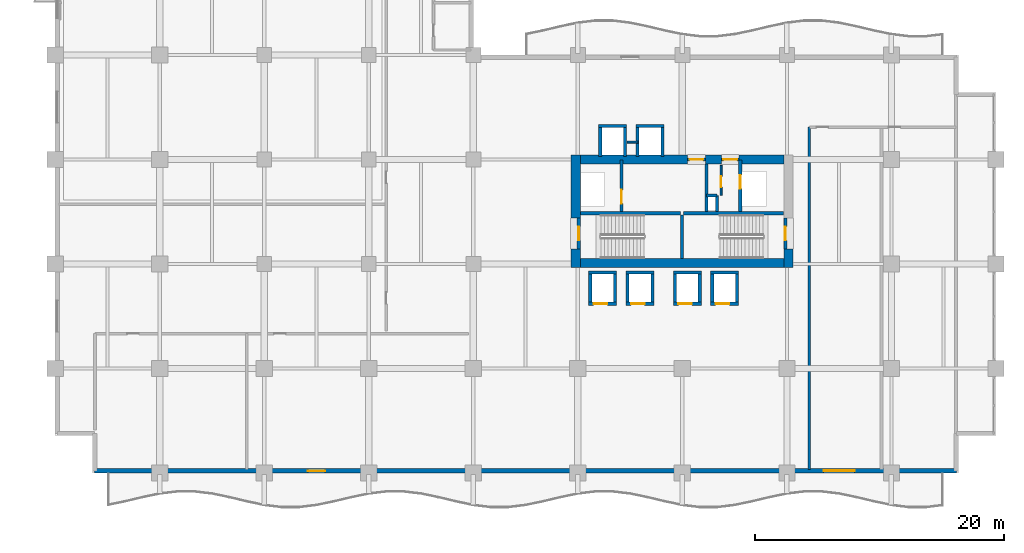
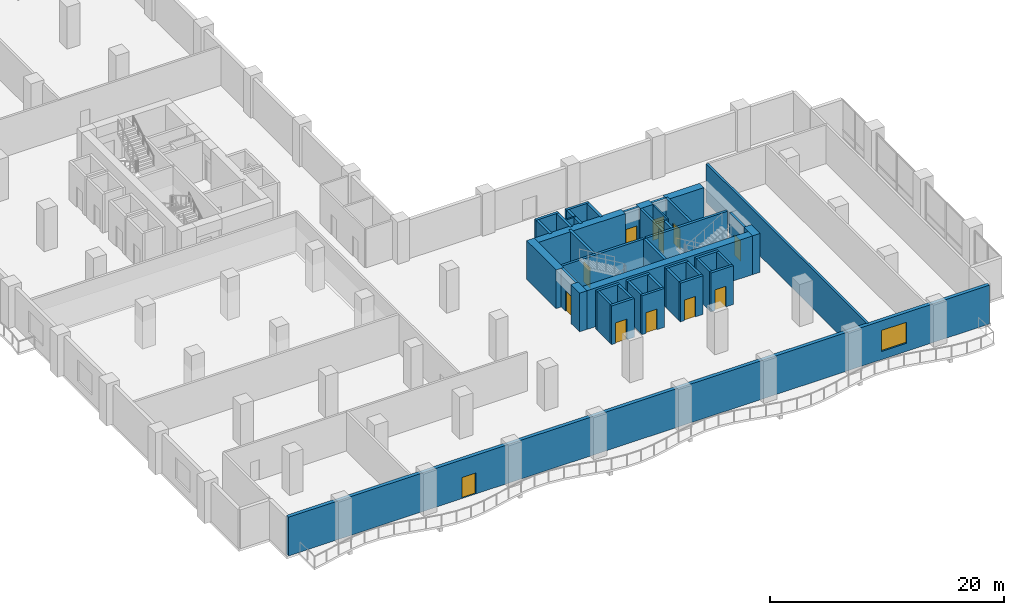
# One storey, part 13 of 24: 45 walls, 12 doors, 1 window, 13 openings.
"""IFC4 building model written with IfcOpenShell, lengths in metres."""

from ifc_helpers import new_model, si_unit, direction, frame, frame_2d, origin, place, context, subcontext, project, spatial, rectangle, extrude, material, layer, layer_set, type_object, element, fill, save


model = new_model("IFC4")

# Units and contexts
model_context = context("Model", 3, precision=1e-05, world=origin(), true_north=direction((0.0, 1.0)))
body_context = subcontext(model_context, "Body", "Model", "MODEL_VIEW")
ifc_project = project(units=[si_unit("LENGTHUNIT", "METRE"), si_unit("AREAUNIT", "SQUARE_METRE"), si_unit("VOLUMEUNIT", "CUBIC_METRE"), si_unit("PLANEANGLEUNIT", "RADIAN"), si_unit("MASSUNIT", "GRAM", prefix="KILO")], contexts=[model_context])

# Site, building, storey
site_placement = place(None, origin())
site = spatial("IfcSite", under=ifc_project, at=site_placement, CompositionType="ELEMENT")
building_placement = place(site_placement, origin())
building = spatial("IfcBuilding", under=site, at=building_placement, Name="Koriwani Terraces Tower", CompositionType="ELEMENT")
storey_placement = place(building_placement, frame((0.0, 0.0, 89.60009765625)))
storey = spatial("IfcBuildingStorey", under=building, at=storey_placement, Name="L21", CompositionType="ELEMENT", Elevation=89.60009765625)

# Walls
ifc_material_1 = material(Name="Concrete C60/75", Category="concrete")
ifc_layer_1 = layer(ifc_material_1, 0.75, Name="Concrete C60/75")
ifc_layer_set_1 = layer_set([ifc_layer_1], Name="Concrete C60/75")
wall_type_1 = type_object("IfcWallType", Name="WALL_CORE_RC_750", PredefinedType="SHEAR", material=ifc_layer_set_1)
wall_1_placement = place(storey_placement, frame((41.824951171875, 16.5, 0.0), z_axis=(0.0, 0.0, 1.0), x_axis=(0.0, 1.0, 0.0)))
element("IfcWall", 1, at=wall_1_placement, inside=storey, type_object=wall_type_1, Name="L21 East Split Core Shear Wall W1", PredefinedType="SHEAR", context=body_context, shape_type="SweptSolid", body=[
    extrude(rectangle(XDim=1.5, YDim=0.75, at=frame_2d((0.75, 0.0))), origin(), (0.0, 0.0, 1.0), 4.0498046875),
])
wall_2_placement = place(storey_placement, frame((41.824951171875, 20.5, 0.0), z_axis=(0.0, 0.0, 1.0), x_axis=(0.0, 1.0, 0.0)))
element("IfcWall", 2, at=wall_2_placement, inside=storey, type_object=wall_type_1, Name="L21 East Split Core Shear Wall W2", PredefinedType="SHEAR", context=body_context, shape_type="SweptSolid", body=[
    extrude(rectangle(XDim=5.074951171875, YDim=0.75, at=frame_2d((2.53759765625, 0.0))), origin(), (0.0, 0.0, 1.0), 4.0498046875),
])
wall_3_placement = place(storey_placement, frame((58.925048828125, 16.5, 0.0), z_axis=(0.0, 0.0, 1.0), x_axis=(0.0, 1.0, 0.0)))
element("IfcWall", 3, at=wall_3_placement, inside=storey, type_object=wall_type_1, Name="L21 East Split Core Shear Wall E1", PredefinedType="SHEAR", context=body_context, shape_type="SweptSolid", body=[
    extrude(rectangle(XDim=1.5, YDim=0.75, at=frame_2d((0.75, 0.0))), origin(), (0.0, 0.0, 1.0), 4.0498046875),
])
wall_4_placement = place(storey_placement, frame((42.199951171875, 16.875, 0.0), z_axis=(0.0, 0.0, 1.0), x_axis=(1.0, 0.0, 0.0)))
element("IfcWall", 4, at=wall_4_placement, inside=storey, type_object=wall_type_1, Name="L21 East Split Core Shear Wall S1", PredefinedType="SHEAR", context=body_context, shape_type="SweptSolid", body=[
    extrude(rectangle(XDim=16.35009765625, YDim=0.75, at=frame_2d((8.175048828125, 0.0))), origin(), (0.0, 0.0, 1.0), 4.0498046875),
])
wall_5_placement = place(storey_placement, frame((42.199951171875, 25.199951171875, 0.0), z_axis=(0.0, 0.0, 1.0), x_axis=(1.0, 0.0, 0.0)))
element("IfcWall", 5, at=wall_5_placement, inside=storey, type_object=wall_type_1, Name="L21 East Split Core Shear Wall N1", PredefinedType="SHEAR", context=body_context, shape_type="SweptSolid", body=[
    extrude(rectangle(XDim=8.60009765625, YDim=0.75, at=frame_2d((4.300048828125, 0.0))), origin(), (0.0, 0.0, 1.0), 4.0498046875),
])
wall_6_placement = place(storey_placement, frame((52.280029296875, 25.199951171875, 0.0), z_axis=(0.0, 0.0, 1.0), x_axis=(1.0, 0.0, 0.0)))
element("IfcWall", 6, at=wall_6_placement, inside=storey, type_object=wall_type_1, Name="L21 East Split Core Shear Wall N2", PredefinedType="SHEAR", context=body_context, shape_type="SweptSolid", body=[
    extrude(rectangle(XDim=1.27001953125, YDim=0.75, at=frame_2d((0.635009765625, 0.0))), origin(), (0.0, 0.0, 1.0), 4.0498046875),
])
wall_7_placement = place(storey_placement, frame((54.949951171875, 25.199951171875, 0.0), z_axis=(0.0, 0.0, 1.0), x_axis=(1.0, 0.0, 0.0)))
element("IfcWall", 7, at=wall_7_placement, inside=storey, type_object=wall_type_1, Name="L21 East Split Core Shear Wall N3", PredefinedType="SHEAR", context=body_context, shape_type="SweptSolid", body=[
    extrude(rectangle(XDim=3.60009765625, YDim=0.75, at=frame_2d((1.800048828125, 0.0))), origin(), (0.0, 0.0, 1.0), 4.0498046875),
])
ifc_material_2 = material(Name="Autoclaved Cellular Concrete Blockwork", Category="masonry")
ifc_layer_2 = layer(ifc_material_2, 0.219970703125, Name="Autoclaved Cellular Concrete Blockwork")
ifc_layer_set_2 = layer_set([ifc_layer_2], Name="Autoclaved Cellular Concrete Blockwork")
wall_type_2 = type_object("IfcWallType", Name="WALL_DEMISING_220", PredefinedType="PARTITIONING", material=ifc_layer_set_2)
wall_8_placement = place(storey_placement, frame((60.60009765625, 0.300048828125, 0.0), z_axis=(0.0, 0.0, 1.0), x_axis=(0.0, 1.0, 0.0)))
element("IfcWall", 8, at=wall_8_placement, inside=storey, type_object=wall_type_2, Name="L21 Interior Wall WSKY-EW-L21", PredefinedType="PARTITIONING", context=body_context, shape_type="SweptSolid", body=[
    extrude(rectangle(XDim=27.5, YDim=0.219970703125, at=frame_2d((13.75, 0.0))), origin(), (0.0, 0.0, 1.0), 4.0498046875),
])

# Wall, openings, door, window
ifc_material_3 = material(Name="Concrete C50/60", Category="concrete")
ifc_layer_3 = layer(ifc_material_3, 0.35009765625, Name="Concrete C50/60")
ifc_layer_set_3 = layer_set([ifc_layer_3], Name="Concrete C50/60")
wall_type_3 = type_object("IfcWallType", Name="WALL_EXT_BRUTALIST_350", PredefinedType="STANDARD", material=ifc_layer_set_3)
wall_9_placement = place(storey_placement, frame((72.425048828125, 0.175048828125, 0.0), z_axis=(0.0, 0.0, 1.0), x_axis=(-1.0, 0.0, 0.0)))
wall_9 = element("IfcWall", 9, at=wall_9_placement, inside=storey, type_object=wall_type_3, Name="L21 Fair-Faced Brutalist Exterior Wall (S)", PredefinedType="STANDARD", context=body_context, shape_type="SweptSolid", body=[
    extrude(rectangle(XDim=69.25, YDim=0.35009765625, at=frame_2d((34.625, 0.0))), origin(), (0.0, 0.0, 1.0), 4.0498046875),
])
opening_1_placement = place(wall_9_placement, frame((50.72509765625, 0.0, 0.0)))
opening_1 = element("IfcOpeningElement", 10, at=opening_1_placement, cuts=wall_9, Name="Opening D-09", PredefinedType="OPENING", context=body_context, shape_type="SweptSolid", body=[
    extrude(rectangle(XDim=1.39990234375, YDim=2.199951171875, at=frame_2d((0.699951171875, 1.10009765625))), frame((0.0, 0.18505859375, 0.0), z_axis=(0.0, -1.0, 0.0), x_axis=(1.0, 0.0, 0.0)), (0.0, 0.0, 1.0), 0.3701171875),
])
opening_2_placement = place(wall_9_placement, frame((8.175048828125, 0.0, 0.85009765625)))
opening_2 = element("IfcOpeningElement", 11, at=opening_2_placement, cuts=wall_9, Name="Opening W-07", PredefinedType="OPENING", context=body_context, shape_type="SweptSolid", body=[
    extrude(rectangle(XDim=2.5, YDim=2.199951171875, at=frame_2d((1.25, 1.10009765625))), frame((0.0, 0.18505859375, 0.0), z_axis=(0.0, -1.0, 0.0), x_axis=(1.0, 0.0, 0.0)), (0.0, 0.0, 1.0), 0.3701171875),
])
ifc_material_4 = material(Name="Anodised Bronze Aluminium", Category="aluminium")
door_type_1 = type_object("IfcDoorType", Name="DOOR_BALCONY_GLAZED_1400X2200", OperationType="NOTDEFINED", PredefinedType="DOOR", material=ifc_material_4)
door_1_placement = place(opening_1_placement, origin())
door_1 = element("IfcDoor", 12, at=door_1_placement, inside=storey, type_object=door_type_1, Name="L21 South Balcony Glazed Door", OperationType="SINGLE_SWING_LEFT", OverallHeight=2.199951171875, OverallWidth=1.39990234375, PredefinedType="DOOR", context=body_context, shape_type="SweptSolid", body=[
    extrude(rectangle(XDim=1.39990234375, YDim=2.199951171875, at=frame_2d((0.699951171875, 1.10009765625))), frame((0.0, 0.02490234375, 0.0), z_axis=(0.0, -1.0, 0.0), x_axis=(1.0, 0.0, 0.0)), (0.0, 0.0, 1.0), 0.050048828125),
])
fill(opening_1, door_1)
ifc_material_5 = material(Name="Tempered Laminated Low-E Glass", Category="glass")
window_type = type_object("IfcWindowType", Name="WIN_SKY_LOUNGE_2500X2200", PartitioningType="SINGLE_PANEL", PredefinedType="WINDOW", material=ifc_material_5)
window_placement = place(opening_2_placement, origin())
window = element("IfcWindow", 13, at=window_placement, inside=storey, type_object=window_type, Name="L21 Exterior Window (S-21)", OverallHeight=2.199951171875, OverallWidth=2.5, PartitioningType="SINGLE_PANEL", PredefinedType="WINDOW", context=body_context, shape_type="SweptSolid", body=[
    extrude(rectangle(XDim=2.5, YDim=2.199951171875, at=frame_2d((1.25, 1.10009765625))), frame((0.0, 0.030029296875, 0.0), z_axis=(0.0, -1.0, 0.0), x_axis=(1.0, 0.0, 0.0)), (0.0, 0.0, 1.0), 0.06005859375),
])
fill(opening_2, window)

# Walls
ifc_material_6 = material(Name="Concrete C40/50", Category="concrete")
ifc_layer_4 = layer(ifc_material_6, 0.25, Name="Concrete C40/50")
ifc_layer_set_4 = layer_set([ifc_layer_4], Name="Concrete C40/50")
wall_type_4 = type_object("IfcWallType", Name="WALL_SHAFT_RATED_250", PredefinedType="SOLIDWALL", material=ifc_layer_set_4)
for number, where, z_axis, x_axis, name in (
    (14, (42.199951171875, 20.875, 0.0), (0.0, 0.0, 1.0), (1.0, 0.0, 0.0), "L21 East Split Core Web Wall MID1"),
    (15, (50.5, 20.875, 0.0), (0.0, 0.0, 1.0), (1.0, 0.0, 0.0), "L21 East Split Core Web Wall MID2"),
):
    element("IfcWall", number, at=place(storey_placement, frame(where, z_axis=z_axis, x_axis=x_axis)), inside=storey, type_object=wall_type_4, Name=name, PredefinedType="SOLIDWALL", context=body_context, shape_type="SweptSolid", body=[
        extrude(rectangle(XDim=8.050048828125, YDim=0.25, at=frame_2d((4.02490234375, 0.0))), origin(), (0.0, 0.0, 1.0), 4.0498046875),
    ])
wall_10_placement = place(storey_placement, frame((50.375, 17.25, 0.0), z_axis=(0.0, 0.0, 1.0), x_axis=(0.0, 1.0, 0.0)))
element("IfcWall", 16, at=wall_10_placement, inside=storey, type_object=wall_type_4, Name="L21 East Split Core Stair Dividing Wall", PredefinedType="SOLIDWALL", context=body_context, shape_type="SweptSolid", body=[
    extrude(rectangle(XDim=3.5, YDim=0.25, at=frame_2d((1.75, 0.0))), origin(), (0.0, 0.0, 1.0), 4.0498046875),
])

# Wall, opening, door
wall_11_placement = place(storey_placement, frame((42.074951171875, 18.0, 0.0), z_axis=(0.0, 0.0, 1.0), x_axis=(0.0, 1.0, 0.0)))
wall_11 = element("IfcWall", 17, at=wall_11_placement, inside=storey, type_object=wall_type_4, Name="L21 Interior Wall WIN-CE-L21-STW", PredefinedType="SOLIDWALL", context=body_context, shape_type="SweptSolid", body=[
    extrude(rectangle(XDim=2.5, YDim=0.25, at=frame_2d((1.25, 0.0))), origin(), (0.0, 0.0, 1.0), 4.0498046875),
])
opening_3_placement = place(wall_11_placement, frame((0.699951171875, 0.0, 0.0)))
opening_3 = element("IfcOpeningElement", 18, at=opening_3_placement, cuts=wall_11, Name="Opening D-03", PredefinedType="OPENING", context=body_context, shape_type="SweptSolid", body=[
    extrude(rectangle(XDim=1.10009765625, YDim=2.14990234375, at=frame_2d((0.550048828125, 1.074951171875))), frame((0.0, 0.135009765625, 0.0), z_axis=(0.0, -1.0, 0.0), x_axis=(1.0, 0.0, 0.0)), (0.0, 0.0, 1.0), 0.27001953125),
])
ifc_material_7 = material(Name="Steel ASTM A572 Grade 50", Category="steel")
door_type_2 = type_object("IfcDoorType", Name="DOOR_STAIR_FIRE_1100X2150", OperationType="NOTDEFINED", PredefinedType="DOOR", material=ifc_material_7)
door_2_placement = place(opening_3_placement, origin())
door_2 = element("IfcDoor", 19, at=door_2_placement, inside=storey, type_object=door_type_2, Name="L21 Exit Stair ST-E1 Door", OperationType="SINGLE_SWING_RIGHT", OverallHeight=2.14990234375, OverallWidth=1.10009765625, PredefinedType="DOOR", context=body_context, shape_type="SweptSolid", body=[
    extrude(rectangle(XDim=1.10009765625, YDim=2.14990234375, at=frame_2d((0.550048828125, 1.074951171875))), frame((0.0, 0.02490234375, 0.0), z_axis=(0.0, -1.0, 0.0), x_axis=(1.0, 0.0, 0.0)), (0.0, 0.0, 1.0), 0.050048828125),
])
fill(opening_3, door_2)

wall_12_placement = place(storey_placement, frame((58.675048828125, 18.0, 0.0), z_axis=(0.0, 0.0, 1.0), x_axis=(0.0, 1.0, 0.0)))
wall_12 = element("IfcWall", 20, at=wall_12_placement, inside=storey, type_object=wall_type_4, Name="L21 Interior Wall WIN-CE-L21-STE", PredefinedType="SOLIDWALL", context=body_context, shape_type="SweptSolid", body=[
    extrude(rectangle(XDim=2.5, YDim=0.25, at=frame_2d((1.25, 0.0))), origin(), (0.0, 0.0, 1.0), 4.0498046875),
])
opening_4_placement = place(wall_12_placement, frame((0.699951171875, 0.0, 0.0)))
opening_4 = element("IfcOpeningElement", 21, at=opening_4_placement, cuts=wall_12, Name="Opening D-03", PredefinedType="OPENING", context=body_context, shape_type="SweptSolid", body=[
    extrude(rectangle(XDim=1.10009765625, YDim=2.14990234375, at=frame_2d((0.550048828125, 1.074951171875))), frame((0.0, 0.135009765625, 0.0), z_axis=(0.0, -1.0, 0.0), x_axis=(1.0, 0.0, 0.0)), (0.0, 0.0, 1.0), 0.27001953125),
])
door_3_placement = place(opening_4_placement, origin())
door_3 = element("IfcDoor", 22, at=door_3_placement, inside=storey, type_object=door_type_2, Name="L21 Exit Stair ST-E2 Door", OperationType="SINGLE_SWING_LEFT", OverallHeight=2.14990234375, OverallWidth=1.10009765625, PredefinedType="DOOR", context=body_context, shape_type="SweptSolid", body=[
    extrude(rectangle(XDim=1.10009765625, YDim=2.14990234375, at=frame_2d((0.550048828125, 1.074951171875))), frame((0.0, 0.02490234375, 0.0), z_axis=(0.0, -1.0, 0.0), x_axis=(1.0, 0.0, 0.0)), (0.0, 0.0, 1.0), 0.050048828125),
])
fill(opening_4, door_3)

wall_13_placement = place(storey_placement, frame((45.5, 21.0, 0.0), z_axis=(0.0, 0.0, 1.0), x_axis=(0.0, 1.0, 0.0)))
wall_13 = element("IfcWall", 23, at=wall_13_placement, inside=storey, type_object=wall_type_4, Name="L21 Interior Wall WIN-CE-L21-FE", PredefinedType="SOLIDWALL", context=body_context, shape_type="SweptSolid", body=[
    extrude(rectangle(XDim=4.14990234375, YDim=0.25, at=frame_2d((2.074951171875, 0.0))), origin(), (0.0, 0.0, 1.0), 4.0498046875),
])
opening_5_placement = place(wall_13_placement, frame((0.64990234375, 0.0, 0.0)))
opening_5 = element("IfcOpeningElement", 24, at=opening_5_placement, cuts=wall_13, Name="Opening LD-01", PredefinedType="OPENING", context=body_context, shape_type="SweptSolid", body=[
    extrude(rectangle(XDim=1.10009765625, YDim=2.14990234375, at=frame_2d((0.550048828125, 1.074951171875))), frame((0.0, 0.135009765625, 0.0), z_axis=(0.0, -1.0, 0.0), x_axis=(1.0, 0.0, 0.0)), (0.0, 0.0, 1.0), 0.27001953125),
])
door_type_3 = type_object("IfcDoorType", Name="DOOR_LIFT_LANDING_1100X2200", OperationType="NOTDEFINED", PredefinedType="DOOR", material=ifc_material_7)
door_4_placement = place(opening_5_placement, origin())
door_4 = element("IfcDoor", 25, at=door_4_placement, inside=storey, type_object=door_type_3, Name="L21 Firefighting Lift FE-02 Landing Door", OperationType="SLIDING_TO_LEFT", OverallHeight=2.14990234375, OverallWidth=1.10009765625, PredefinedType="DOOR", context=body_context, shape_type="SweptSolid", body=[
    extrude(rectangle(XDim=1.10009765625, YDim=2.14990234375, at=frame_2d((0.550048828125, 1.074951171875))), frame((0.0, 0.02490234375, 0.0), z_axis=(0.0, -1.0, 0.0), x_axis=(1.0, 0.0, 0.0)), (0.0, 0.0, 1.0), 0.050048828125),
])
fill(opening_5, door_4)

wall_14_placement = place(storey_placement, frame((50.800048828125, 25.199951171875, 0.0), z_axis=(0.0, 0.0, 1.0), x_axis=(1.0, 0.0, 0.0)))
wall_14 = element("IfcWall", 26, at=wall_14_placement, inside=storey, type_object=wall_type_4, Name="L21 Interior Wall WIN-CE-L21-NP", PredefinedType="SOLIDWALL", context=body_context, shape_type="SweptSolid", body=[
    extrude(rectangle(XDim=1.47998046875, YDim=0.25, at=frame_2d((0.739990234375, 0.0))), origin(), (0.0, 0.0, 1.0), 4.0498046875),
])
opening_6_placement = place(wall_14_placement, frame((0.179931640625, 0.0, 0.0)))
opening_6 = element("IfcOpeningElement", 27, at=opening_6_placement, cuts=wall_14, Name="Opening D-03", PredefinedType="OPENING", context=body_context, shape_type="SweptSolid", body=[
    extrude(rectangle(XDim=1.10009765625, YDim=2.14990234375, at=frame_2d((0.550048828125, 1.074951171875))), frame((0.0, 0.135009765625, 0.0), z_axis=(0.0, -1.0, 0.0), x_axis=(1.0, 0.0, 0.0)), (0.0, 0.0, 1.0), 0.27001953125),
])
door_5_placement = place(opening_6_placement, origin())
door_5 = element("IfcDoor", 28, at=door_5_placement, inside=storey, type_object=door_type_2, Name="L21 East Firefighting Lobby Door", OperationType="SINGLE_SWING_RIGHT", OverallHeight=2.14990234375, OverallWidth=1.10009765625, PredefinedType="DOOR", context=body_context, shape_type="SweptSolid", body=[
    extrude(rectangle(XDim=1.10009765625, YDim=2.14990234375, at=frame_2d((0.550048828125, 1.074951171875))), frame((0.0, 0.02490234375, 0.0), z_axis=(0.0, -1.0, 0.0), x_axis=(1.0, 0.0, 0.0)), (0.0, 0.0, 1.0), 0.050048828125),
])
fill(opening_6, door_5)

# Wall
wall_15_placement = place(storey_placement, frame((52.340087890625, 21.0, 0.0), z_axis=(0.0, 0.0, 1.0), x_axis=(0.0, 1.0, 0.0)))
element("IfcWall", 29, at=wall_15_placement, inside=storey, type_object=wall_type_4, Name="L21 Interior Wall WIN-CE-L21-FFE", PredefinedType="SOLIDWALL", context=body_context, shape_type="SweptSolid", body=[
    extrude(rectangle(XDim=3.824951171875, YDim=0.25, at=frame_2d((1.91259765625, 0.0))), origin(), (0.0, 0.0, 1.0), 4.0498046875),
])

# Wall, opening, door
wall_16_placement = place(storey_placement, frame((55.050048828125, 21.0, 0.0), z_axis=(0.0, 0.0, 1.0), x_axis=(0.0, 1.0, 0.0)))
wall_16 = element("IfcWall", 30, at=wall_16_placement, inside=storey, type_object=wall_type_4, Name="L21 Interior Wall WIN-CE-L21-SE", PredefinedType="SOLIDWALL", context=body_context, shape_type="SweptSolid", body=[
    extrude(rectangle(XDim=4.14990234375, YDim=0.25, at=frame_2d((2.074951171875, 0.0))), origin(), (0.0, 0.0, 1.0), 4.0498046875),
])
opening_7_placement = place(wall_16_placement, frame((1.85009765625, 0.0, 0.0)))
opening_7 = element("IfcOpeningElement", 31, at=opening_7_placement, cuts=wall_16, Name="Opening LD-01", PredefinedType="OPENING", context=body_context, shape_type="SweptSolid", body=[
    extrude(rectangle(XDim=1.10009765625, YDim=2.14990234375, at=frame_2d((0.550048828125, 1.074951171875))), frame((0.0, 0.135009765625, 0.0), z_axis=(0.0, -1.0, 0.0), x_axis=(1.0, 0.0, 0.0)), (0.0, 0.0, 1.0), 0.27001953125),
])
door_6_placement = place(opening_7_placement, origin())
door_6 = element("IfcDoor", 32, at=door_6_placement, inside=storey, type_object=door_type_3, Name="L21 Goods Lift SE-02 Landing Door", OperationType="SLIDING_TO_LEFT", OverallHeight=2.14990234375, OverallWidth=1.10009765625, PredefinedType="DOOR", context=body_context, shape_type="SweptSolid", body=[
    extrude(rectangle(XDim=1.10009765625, YDim=2.14990234375, at=frame_2d((0.550048828125, 1.074951171875))), frame((0.0, 0.02490234375, 0.0), z_axis=(0.0, -1.0, 0.0), x_axis=(1.0, 0.0, 0.0)), (0.0, 0.0, 1.0), 0.050048828125),
])
fill(opening_7, door_6)

wall_17_placement = place(storey_placement, frame((53.550048828125, 25.199951171875, 0.0), z_axis=(0.0, 0.0, 1.0), x_axis=(1.0, 0.0, 0.0)))
wall_17 = element("IfcWall", 33, at=wall_17_placement, inside=storey, type_object=wall_type_4, Name="L21 Interior Wall WIN-CE-L21-NP2", PredefinedType="SOLIDWALL", context=body_context, shape_type="SweptSolid", body=[
    extrude(rectangle(XDim=1.39990234375, YDim=0.25, at=frame_2d((0.699951171875, 0.0))), origin(), (0.0, 0.0, 1.0), 4.0498046875),
])
opening_8_placement = place(wall_17_placement, frame((0.14990234375, 0.0, 0.0)))
opening_8 = element("IfcOpeningElement", 34, at=opening_8_placement, cuts=wall_17, Name="Opening D-03", PredefinedType="OPENING", context=body_context, shape_type="SweptSolid", body=[
    extrude(rectangle(XDim=1.10009765625, YDim=2.14990234375, at=frame_2d((0.550048828125, 1.074951171875))), frame((0.0, 0.135009765625, 0.0), z_axis=(0.0, -1.0, 0.0), x_axis=(1.0, 0.0, 0.0)), (0.0, 0.0, 1.0), 0.27001953125),
])
door_7_placement = place(opening_8_placement, origin())
door_7 = element("IfcDoor", 35, at=door_7_placement, inside=storey, type_object=door_type_2, Name="L21 East Goods Lift Lobby Door", OperationType="SINGLE_SWING_LEFT", OverallHeight=2.14990234375, OverallWidth=1.10009765625, PredefinedType="DOOR", context=body_context, shape_type="SweptSolid", body=[
    extrude(rectangle(XDim=1.10009765625, YDim=2.14990234375, at=frame_2d((0.550048828125, 1.074951171875))), frame((0.0, 0.02490234375, 0.0), z_axis=(0.0, -1.0, 0.0), x_axis=(1.0, 0.0, 0.0)), (0.0, 0.0, 1.0), 0.050048828125),
])
fill(opening_8, door_7)

# Walls
wall_18_placement = place(storey_placement, frame((53.199951171875, 21.0, 0.0), z_axis=(0.0, 0.0, 1.0), x_axis=(0.0, 1.0, 0.0)))
element("IfcWall", 36, at=wall_18_placement, inside=storey, type_object=wall_type_4, Name="L21 Interior Wall WIN-CE-L21-RS1", PredefinedType="SOLIDWALL", context=body_context, shape_type="SweptSolid", body=[
    extrude(rectangle(XDim=1.300048828125, YDim=0.25, at=frame_2d((0.64990234375, 0.0))), origin(), (0.0, 0.0, 1.0), 4.0498046875),
])
wall_19_placement = place(storey_placement, frame((52.360107421875, 22.300048828125, 0.0), z_axis=(0.0, 0.0, 1.0), x_axis=(1.0, 0.0, 0.0)))
element("IfcWall", 37, at=wall_19_placement, inside=storey, type_object=wall_type_4, Name="L21 Interior Wall WIN-CE-L21-RS2", PredefinedType="SOLIDWALL", context=body_context, shape_type="SweptSolid", body=[
    extrude(rectangle(XDim=0.83984375, YDim=0.25, at=frame_2d((0.419921875, 0.0))), origin(), (0.0, 0.0, 1.0), 4.0498046875),
])

# Wall, opening, door
wall_20_placement = place(storey_placement, frame((42.875, 13.60009765625, 0.0), z_axis=(0.0, 0.0, 1.0), x_axis=(1.0, 0.0, 0.0)))
wall_20 = element("IfcWall", 38, at=wall_20_placement, inside=storey, type_object=wall_type_4, Name="L21 Interior Wall WIN-LF-PE-L3-L21-F", PredefinedType="SOLIDWALL", context=body_context, shape_type="SweptSolid", body=[
    extrude(rectangle(XDim=2.25, YDim=0.25, at=frame_2d((1.125, 0.0))), origin(), (0.0, 0.0, 1.0), 4.0498046875),
])
opening_9_placement = place(wall_20_placement, frame((0.39990234375, 0.0, 0.0)))
opening_9 = element("IfcOpeningElement", 39, at=opening_9_placement, cuts=wall_20, Name="Opening LD-01", PredefinedType="OPENING", context=body_context, shape_type="SweptSolid", body=[
    extrude(rectangle(XDim=1.10009765625, YDim=2.14990234375, at=frame_2d((0.550048828125, 1.074951171875))), frame((0.0, 0.135009765625, 0.0), z_axis=(0.0, -1.0, 0.0), x_axis=(1.0, 0.0, 0.0)), (0.0, 0.0, 1.0), 0.27001953125),
])
door_8_placement = place(opening_9_placement, origin())
door_8 = element("IfcDoor", 40, at=door_8_placement, inside=storey, type_object=door_type_3, Name="L21 Passenger Lift PE-L3 Landing Door", OperationType="SLIDING_TO_LEFT", OverallHeight=2.14990234375, OverallWidth=1.10009765625, PredefinedType="DOOR", context=body_context, shape_type="SweptSolid", body=[
    extrude(rectangle(XDim=1.10009765625, YDim=2.14990234375, at=frame_2d((0.550048828125, 1.074951171875))), frame((0.0, 0.02490234375, 0.0), z_axis=(0.0, -1.0, 0.0), x_axis=(1.0, 0.0, 0.0)), (0.0, 0.0, 1.0), 0.050048828125),
])
fill(opening_9, door_8)

# Walls
for number, where, z_axis, x_axis, name in (
    (41, (42.875, 16.10009765625, 0.0), (0.0, 0.0, 1.0), (1.0, 0.0, 0.0), "L21 Interior Wall WIN-LF-PE-L3-L21-B"),
    (42, (43.0, 13.72509765625, 0.0), (0.0, 0.0, 1.0), (0.0, 1.0, 0.0), "L21 Interior Wall WIN-LF-PE-L3-L21-W"),
    (43, (45.0, 13.72509765625, 0.0), (0.0, 0.0, 1.0), (0.0, 1.0, 0.0), "L21 Interior Wall WIN-LF-PE-L3-L21-E"),
):
    element("IfcWall", number, at=place(storey_placement, frame(where, z_axis=z_axis, x_axis=x_axis)), inside=storey, type_object=wall_type_4, Name=name, PredefinedType="SOLIDWALL", context=body_context, shape_type="SweptSolid", body=[
        extrude(rectangle(XDim=2.25, YDim=0.25, at=frame_2d((1.125, 0.0))), origin(), (0.0, 0.0, 1.0), 4.0498046875),
    ])

# Wall, opening, door
wall_21_placement = place(storey_placement, frame((45.875, 13.60009765625, 0.0), z_axis=(0.0, 0.0, 1.0), x_axis=(1.0, 0.0, 0.0)))
wall_21 = element("IfcWall", 44, at=wall_21_placement, inside=storey, type_object=wall_type_4, Name="L21 Interior Wall WIN-LF-PE-L4-L21-F", PredefinedType="SOLIDWALL", context=body_context, shape_type="SweptSolid", body=[
    extrude(rectangle(XDim=2.25, YDim=0.25, at=frame_2d((1.125, 0.0))), origin(), (0.0, 0.0, 1.0), 4.0498046875),
])
opening_10_placement = place(wall_21_placement, frame((0.39990234375, 0.0, 0.0)))
opening_10 = element("IfcOpeningElement", 45, at=opening_10_placement, cuts=wall_21, Name="Opening LD-01", PredefinedType="OPENING", context=body_context, shape_type="SweptSolid", body=[
    extrude(rectangle(XDim=1.10009765625, YDim=2.14990234375, at=frame_2d((0.550048828125, 1.074951171875))), frame((0.0, 0.135009765625, 0.0), z_axis=(0.0, -1.0, 0.0), x_axis=(1.0, 0.0, 0.0)), (0.0, 0.0, 1.0), 0.27001953125),
])
door_9_placement = place(opening_10_placement, origin())
door_9 = element("IfcDoor", 46, at=door_9_placement, inside=storey, type_object=door_type_3, Name="L21 Passenger Lift PE-L4 Landing Door", OperationType="SLIDING_TO_LEFT", OverallHeight=2.14990234375, OverallWidth=1.10009765625, PredefinedType="DOOR", context=body_context, shape_type="SweptSolid", body=[
    extrude(rectangle(XDim=1.10009765625, YDim=2.14990234375, at=frame_2d((0.550048828125, 1.074951171875))), frame((0.0, 0.02490234375, 0.0), z_axis=(0.0, -1.0, 0.0), x_axis=(1.0, 0.0, 0.0)), (0.0, 0.0, 1.0), 0.050048828125),
])
fill(opening_10, door_9)

# Walls
for number, where, z_axis, x_axis, name in (
    (47, (45.875, 16.10009765625, 0.0), (0.0, 0.0, 1.0), (1.0, 0.0, 0.0), "L21 Interior Wall WIN-LF-PE-L4-L21-B"),
    (48, (46.0, 13.72509765625, 0.0), (0.0, 0.0, 1.0), (0.0, 1.0, 0.0), "L21 Interior Wall WIN-LF-PE-L4-L21-W"),
    (49, (48.0, 13.72509765625, 0.0), (0.0, 0.0, 1.0), (0.0, 1.0, 0.0), "L21 Interior Wall WIN-LF-PE-L4-L21-E"),
):
    element("IfcWall", number, at=place(storey_placement, frame(where, z_axis=z_axis, x_axis=x_axis)), inside=storey, type_object=wall_type_4, Name=name, PredefinedType="SOLIDWALL", context=body_context, shape_type="SweptSolid", body=[
        extrude(rectangle(XDim=2.25, YDim=0.25, at=frame_2d((1.125, 0.0))), origin(), (0.0, 0.0, 1.0), 4.0498046875),
    ])

# Wall, opening, door
wall_22_placement = place(storey_placement, frame((49.675048828125, 13.60009765625, 0.0), z_axis=(0.0, 0.0, 1.0), x_axis=(1.0, 0.0, 0.0)))
wall_22 = element("IfcWall", 50, at=wall_22_placement, inside=storey, type_object=wall_type_4, Name="L21 Interior Wall WIN-LF-PE-M3-L21-F", PredefinedType="SOLIDWALL", context=body_context, shape_type="SweptSolid", body=[
    extrude(rectangle(XDim=2.25, YDim=0.25, at=frame_2d((1.125, 0.0))), origin(), (0.0, 0.0, 1.0), 4.0498046875),
])
opening_11_placement = place(wall_22_placement, frame((0.39990234375, 0.0, 0.0)))
opening_11 = element("IfcOpeningElement", 51, at=opening_11_placement, cuts=wall_22, Name="Opening LD-01", PredefinedType="OPENING", context=body_context, shape_type="SweptSolid", body=[
    extrude(rectangle(XDim=1.10009765625, YDim=2.14990234375, at=frame_2d((0.550048828125, 1.074951171875))), frame((0.0, 0.135009765625, 0.0), z_axis=(0.0, -1.0, 0.0), x_axis=(1.0, 0.0, 0.0)), (0.0, 0.0, 1.0), 0.27001953125),
])
door_10_placement = place(opening_11_placement, origin())
door_10 = element("IfcDoor", 52, at=door_10_placement, inside=storey, type_object=door_type_3, Name="L21 Passenger Lift PE-M3 Landing Door", OperationType="SLIDING_TO_LEFT", OverallHeight=2.14990234375, OverallWidth=1.10009765625, PredefinedType="DOOR", context=body_context, shape_type="SweptSolid", body=[
    extrude(rectangle(XDim=1.10009765625, YDim=2.14990234375, at=frame_2d((0.550048828125, 1.074951171875))), frame((0.0, 0.02490234375, 0.0), z_axis=(0.0, -1.0, 0.0), x_axis=(1.0, 0.0, 0.0)), (0.0, 0.0, 1.0), 0.050048828125),
])
fill(opening_11, door_10)

# Walls
for number, where, z_axis, x_axis, name in (
    (53, (49.675048828125, 16.10009765625, 0.0), (0.0, 0.0, 1.0), (1.0, 0.0, 0.0), "L21 Interior Wall WIN-LF-PE-M3-L21-B"),
    (54, (49.800048828125, 13.72509765625, 0.0), (0.0, 0.0, 1.0), (0.0, 1.0, 0.0), "L21 Interior Wall WIN-LF-PE-M3-L21-W"),
    (55, (51.800048828125, 13.72509765625, 0.0), (0.0, 0.0, 1.0), (0.0, 1.0, 0.0), "L21 Interior Wall WIN-LF-PE-M3-L21-E"),
):
    element("IfcWall", number, at=place(storey_placement, frame(where, z_axis=z_axis, x_axis=x_axis)), inside=storey, type_object=wall_type_4, Name=name, PredefinedType="SOLIDWALL", context=body_context, shape_type="SweptSolid", body=[
        extrude(rectangle(XDim=2.25, YDim=0.25, at=frame_2d((1.125, 0.0))), origin(), (0.0, 0.0, 1.0), 4.0498046875),
    ])

# Wall, opening, door
wall_23_placement = place(storey_placement, frame((52.675048828125, 13.60009765625, 0.0), z_axis=(0.0, 0.0, 1.0), x_axis=(1.0, 0.0, 0.0)))
wall_23 = element("IfcWall", 56, at=wall_23_placement, inside=storey, type_object=wall_type_4, Name="L21 Interior Wall WIN-LF-PE-M4-L21-F", PredefinedType="SOLIDWALL", context=body_context, shape_type="SweptSolid", body=[
    extrude(rectangle(XDim=2.25, YDim=0.25, at=frame_2d((1.125, 0.0))), origin(), (0.0, 0.0, 1.0), 4.0498046875),
])
opening_12_placement = place(wall_23_placement, frame((0.39990234375, 0.0, 0.0)))
opening_12 = element("IfcOpeningElement", 57, at=opening_12_placement, cuts=wall_23, Name="Opening LD-01", PredefinedType="OPENING", context=body_context, shape_type="SweptSolid", body=[
    extrude(rectangle(XDim=1.10009765625, YDim=2.14990234375, at=frame_2d((0.550048828125, 1.074951171875))), frame((0.0, 0.135009765625, 0.0), z_axis=(0.0, -1.0, 0.0), x_axis=(1.0, 0.0, 0.0)), (0.0, 0.0, 1.0), 0.27001953125),
])
door_11_placement = place(opening_12_placement, origin())
door_11 = element("IfcDoor", 58, at=door_11_placement, inside=storey, type_object=door_type_3, Name="L21 Passenger Lift PE-M4 Landing Door", OperationType="SLIDING_TO_LEFT", OverallHeight=2.14990234375, OverallWidth=1.10009765625, PredefinedType="DOOR", context=body_context, shape_type="SweptSolid", body=[
    extrude(rectangle(XDim=1.10009765625, YDim=2.14990234375, at=frame_2d((0.550048828125, 1.074951171875))), frame((0.0, 0.02490234375, 0.0), z_axis=(0.0, -1.0, 0.0), x_axis=(1.0, 0.0, 0.0)), (0.0, 0.0, 1.0), 0.050048828125),
])
fill(opening_12, door_11)

# Walls
for number, where, z_axis, x_axis, name in (
    (59, (52.675048828125, 16.10009765625, 0.0), (0.0, 0.0, 1.0), (1.0, 0.0, 0.0), "L21 Interior Wall WIN-LF-PE-M4-L21-B"),
    (60, (52.800048828125, 13.72509765625, 0.0), (0.0, 0.0, 1.0), (0.0, 1.0, 0.0), "L21 Interior Wall WIN-LF-PE-M4-L21-W"),
    (61, (54.800048828125, 13.72509765625, 0.0), (0.0, 0.0, 1.0), (0.0, 1.0, 0.0), "L21 Interior Wall WIN-LF-PE-M4-L21-E"),
    (62, (43.675048828125, 27.89990234375, 0.0), (0.0, 0.0, 1.0), (1.0, 0.0, 0.0), "L21 Interior Wall WIN-LF-PE-H3-L21-F"),
):
    element("IfcWall", number, at=place(storey_placement, frame(where, z_axis=z_axis, x_axis=x_axis)), inside=storey, type_object=wall_type_4, Name=name, PredefinedType="SOLIDWALL", context=body_context, shape_type="SweptSolid", body=[
        extrude(rectangle(XDim=2.25, YDim=0.25, at=frame_2d((1.125, 0.0))), origin(), (0.0, 0.0, 1.0), 4.0498046875),
    ])
for number, where, z_axis, x_axis, name in (
    (63, (43.800048828125, 25.449951171875, 0.0), (0.0, 0.0, 1.0), (0.0, 1.0, 0.0), "L21 Interior Wall WIN-LF-PE-H3-L21-W"),
    (64, (45.800048828125, 25.449951171875, 0.0), (0.0, 0.0, 1.0), (0.0, 1.0, 0.0), "L21 Interior Wall WIN-LF-PE-H3-L21-E"),
):
    element("IfcWall", number, at=place(storey_placement, frame(where, z_axis=z_axis, x_axis=x_axis)), inside=storey, type_object=wall_type_4, Name=name, PredefinedType="SOLIDWALL", context=body_context, shape_type="SweptSolid", body=[
        extrude(rectangle(XDim=2.324951171875, YDim=0.25, at=frame_2d((1.16259765625, 0.0))), origin(), (0.0, 0.0, 1.0), 4.0498046875),
    ])
wall_24_placement = place(storey_placement, frame((46.675048828125, 27.89990234375, 0.0), z_axis=(0.0, 0.0, 1.0), x_axis=(1.0, 0.0, 0.0)))
element("IfcWall", 65, at=wall_24_placement, inside=storey, type_object=wall_type_4, Name="L21 Interior Wall WIN-LF-PE-H4-L21-F", PredefinedType="SOLIDWALL", context=body_context, shape_type="SweptSolid", body=[
    extrude(rectangle(XDim=2.25, YDim=0.25, at=frame_2d((1.125, 0.0))), origin(), (0.0, 0.0, 1.0), 4.0498046875),
])
for number, where, z_axis, x_axis, name in (
    (66, (46.800048828125, 25.449951171875, 0.0), (0.0, 0.0, 1.0), (0.0, 1.0, 0.0), "L21 Interior Wall WIN-LF-PE-H4-L21-W"),
    (67, (48.800048828125, 25.449951171875, 0.0), (0.0, 0.0, 1.0), (0.0, 1.0, 0.0), "L21 Interior Wall WIN-LF-PE-H4-L21-E"),
):
    element("IfcWall", number, at=place(storey_placement, frame(where, z_axis=z_axis, x_axis=x_axis)), inside=storey, type_object=wall_type_4, Name=name, PredefinedType="SOLIDWALL", context=body_context, shape_type="SweptSolid", body=[
        extrude(rectangle(XDim=2.324951171875, YDim=0.25, at=frame_2d((1.16259765625, 0.0))), origin(), (0.0, 0.0, 1.0), 4.0498046875),
    ])

# Wall, opening, door
ifc_material_8 = material(Name="Fire-Rated Acoustic Gypsum Partition", Category="masonry")
ifc_layer_5 = layer(ifc_material_8, 0.159912109375, Name="Fire-Rated Acoustic Gypsum Partition")
ifc_layer_set_5 = layer_set([ifc_layer_5], Name="Fire-Rated Acoustic Gypsum Partition")
wall_type_5 = type_object("IfcWallType", Name="WALL_SUITE_160", PredefinedType="PARTITIONING", material=ifc_layer_set_5)
wall_25_placement = place(storey_placement, frame((53.52001953125, 22.320068359375, 0.0), z_axis=(0.0, 0.0, 1.0), x_axis=(0.0, 1.0, 0.0)))
wall_25 = element("IfcWall", 68, at=wall_25_placement, inside=storey, type_object=wall_type_5, Name="L21 Interior Wall WIN-CE-L21-SV0", PredefinedType="PARTITIONING", context=body_context, shape_type="SweptSolid", body=[
    extrude(rectangle(XDim=2.39990234375, YDim=0.159912109375, at=frame_2d((1.199951171875, 0.0))), origin(), (0.0, 0.0, 1.0), 4.0498046875),
])
opening_13_placement = place(wall_25_placement, frame((0.64990234375, 0.0, 0.0)))
opening_13 = element("IfcOpeningElement", 69, at=opening_13_placement, cuts=wall_25, Name="Opening D-07", PredefinedType="OPENING", context=body_context, shape_type="SweptSolid", body=[
    extrude(rectangle(XDim=0.89990234375, YDim=2.10009765625, at=frame_2d((0.449951171875, 1.050048828125))), frame((0.0, 0.08984375, 0.0), z_axis=(0.0, -1.0, 0.0), x_axis=(1.0, 0.0, 0.0)), (0.0, 0.0, 1.0), 0.179931640625),
])
ifc_material_9 = material(Name="Architectural Oak Fire Door", Category="wood")
door_type_4 = type_object("IfcDoorType", Name="DOOR_BATH_INT_900X2100", OperationType="NOTDEFINED", PredefinedType="DOOR", material=ifc_material_9)
door_12_placement = place(opening_13_placement, origin())
door_12 = element("IfcDoor", 70, at=door_12_placement, inside=storey, type_object=door_type_4, Name="L21 East Electrical Switch Room Door", OperationType="SINGLE_SWING_RIGHT", OverallHeight=2.10009765625, OverallWidth=0.89990234375, PredefinedType="DOOR", context=body_context, shape_type="SweptSolid", body=[
    extrude(rectangle(XDim=0.89990234375, YDim=2.10009765625, at=frame_2d((0.449951171875, 1.050048828125))), frame((0.0, 0.02490234375, 0.0), z_axis=(0.0, -1.0, 0.0), x_axis=(1.0, 0.0, 0.0)), (0.0, 0.0, 1.0), 0.050048828125),
])
fill(opening_13, door_12)

# Wall
wall_26_placement = place(storey_placement, frame((45.9599609375, 26.60009765625, 0.0), z_axis=(0.0, 0.0, 1.0), x_axis=(1.0, 0.0, 0.0)))
element("IfcWall", 71, at=wall_26_placement, inside=storey, type_object=wall_type_5, Name="L21 Interior Wall WIN-LF-PEH34-MID-L21", PredefinedType="PARTITIONING", context=body_context, shape_type="SweptSolid", body=[
    extrude(rectangle(XDim=0.880126953125, YDim=0.159912109375, at=frame_2d((0.43994140625, 0.0))), origin(), (0.0, 0.0, 1.0), 4.0498046875),
])

save(model, "model.ifc")
